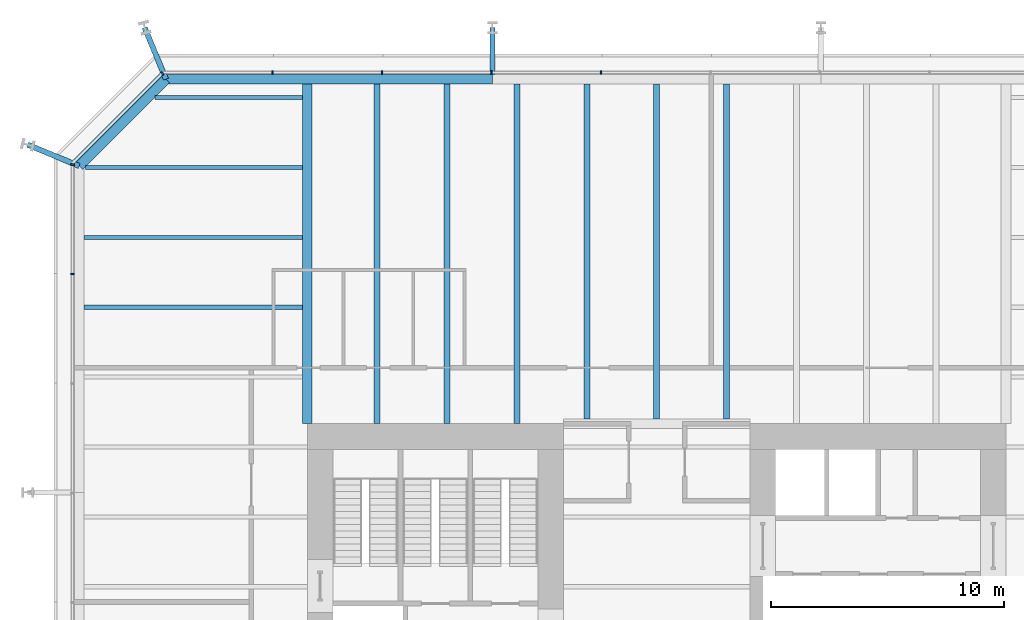
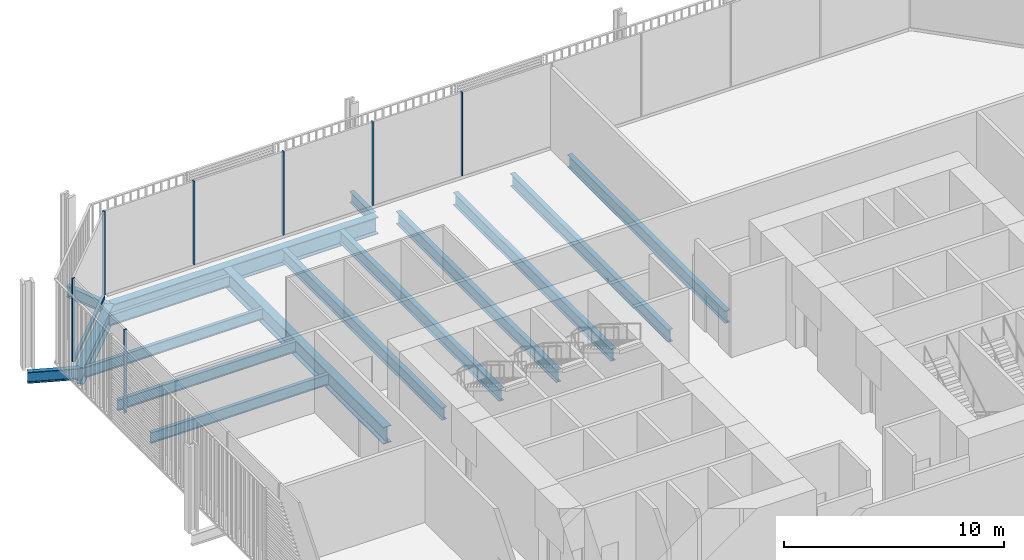
# One storey, part 9 of 21: 16 beams, 8 members, 3 elements without a shape of their own.
"""IFC4 building model written with IfcOpenShell, lengths in metres."""

import ifcopenshell
import ifcopenshell.guid

model = None  # the IFC model being written
_history = None  # IfcOwnerHistory: only IFC2X3 demands one
_inside = {}  # id of a spatial element -> (the spatial element, [elements in it])
_under = {}  # id of a project, library or spatial element -> (it, [spatial elements below it])
_declared = {}  # id of a project -> (the project, [libraries it declares])
_typed = {}  # id of a type object -> (the type object, [elements of that type])
_made_of = {}  # id of a material, layer set ... -> (it, [elements and type objects made of it])


def new_model(schema):
    """Start an empty IFC model of exactly this schema.

    Asked for "IFC4X3", IfcOpenShell would pick the latest addendum, in which some entities
    have other attributes; the version numbers below select the first issue.
    IFC2X3 requires an IfcOwnerHistory on every rooted entity: one is made here for all.
    """
    global model, _history
    if schema == "IFC4X3":
        model = ifcopenshell.file(schema_version=(4, 3, 0, 0))
    else:
        model = ifcopenshell.file(schema=schema)
    _inside.clear()
    _under.clear()
    _declared.clear()
    _typed.clear()
    _made_of.clear()
    _history = None
    if model.schema == "IFC2X3":
        org = make("IfcOrganization", Name="unknown")
        user = make(
            "IfcPersonAndOrganization",
            ThePerson=make("IfcPerson", FamilyName="unknown"),
            TheOrganization=org,
        )
        app = make(
            "IfcApplication",
            ApplicationDeveloper=org,
            Version="unknown",
            ApplicationFullName="unknown",
            ApplicationIdentifier="unknown",
        )
        _history = make(
            "IfcOwnerHistory",
            OwningUser=user,
            OwningApplication=app,
            ChangeAction="ADDED",
            CreationDate=0,
        )
    return model


def make(cls, **values):
    """One entity of the class cls with the attributes given. An attribute that is None is left unset."""
    return model.create_entity(
        cls, **{name: value for name, value in values.items() if value is not None}
    )


def rooted(cls, **values):
    """An entity with a GlobalId (a new one), such as an element, a storey or a relation."""
    return make(cls, GlobalId=ifcopenshell.guid.new(), OwnerHistory=_history, **values)


def si_unit(unit_type, name, prefix=None):
    """IfcSIUnit, for example si_unit("LENGTHUNIT", "METRE", prefix="MILLI")."""
    return make("IfcSIUnit", UnitType=unit_type, Prefix=prefix, Name=name)


def assignment(units):
    """IfcUnitAssignment: the units of a project."""
    return None if units is None else make("IfcUnitAssignment", Units=units)


def point(xyz):
    """IfcCartesianPoint."""
    return None if xyz is None else make("IfcCartesianPoint", Coordinates=xyz)


def direction(xyz):
    """IfcDirection."""
    return None if xyz is None else make("IfcDirection", DirectionRatios=xyz)


def frame(location, z_axis=None, x_axis=None):
    """IfcAxis2Placement3D, a coordinate frame: its origin and axes. An axis left out is left unset."""
    return make(
        "IfcAxis2Placement3D",
        Location=point(location),
        Axis=direction(z_axis),
        RefDirection=direction(x_axis),
    )


def frame_2d(location, x_axis=None):
    """IfcAxis2Placement2D, a coordinate frame in the plane: its origin and x axis."""
    return make(
        "IfcAxis2Placement2D", Location=point(location), RefDirection=direction(x_axis)
    )


def origin():
    """The frame at (0, 0, 0) with its axes left unset."""
    return frame((0.0, 0.0, 0.0))


def origin_2d():
    """The frame at (0, 0) in the plane with its x axis left unset."""
    return frame_2d((0.0, 0.0))


def place(relative_to, where):
    """IfcLocalPlacement: puts the frame where relative to a parent placement (None: the world)."""
    return make(
        "IfcLocalPlacement", PlacementRelTo=relative_to, RelativePlacement=where
    )


def context(
    kind, dimensions, precision=None, world=None, true_north=None, identifier=None
):
    """IfcGeometricRepresentationContext, for example the 3D "Model" context."""
    return make(
        "IfcGeometricRepresentationContext",
        ContextIdentifier=identifier,
        ContextType=kind,
        CoordinateSpaceDimension=dimensions,
        Precision=precision,
        WorldCoordinateSystem=world,
        TrueNorth=true_north,
    )


def subcontext(parent, identifier, kind, view, scale=None):
    """IfcGeometricRepresentationSubContext, for example "Body" below "Model"."""
    return make(
        "IfcGeometricRepresentationSubContext",
        ContextIdentifier=identifier,
        ContextType=kind,
        ParentContext=parent,
        TargetScale=scale,
        TargetView=view,
    )


def project(units=None, contexts=None):
    """IfcProject with its units and contexts."""
    return rooted(
        "IfcProject",
        Name="project",
        RepresentationContexts=contexts,
        UnitsInContext=assignment(units),
    )


def spatial(cls, under=None, at=None, **own):
    """A site, building, storey or space (cls), placed at a placement, below another one or the project."""
    s = rooted(cls, ObjectPlacement=at, **own)
    if under is not None:
        _under.setdefault(under.id(), (under, []))[1].append(s)
    return s


def profile(cls, at=None, kind="AREA", **sizes):
    """A parametric profile (cls). Its sizes go by their IFC names, for example OverallWidth=200.0."""
    return make(cls, ProfileType=kind, Position=at, **sizes)


def rectangle(**sizes):
    """IfcRectangleProfileDef."""
    return profile("IfcRectangleProfileDef", **sizes)


def i_section(**sizes):
    """IfcIShapeProfileDef."""
    return profile("IfcIShapeProfileDef", **sizes)


def extrude(swept, where, along, depth):
    """IfcExtrudedAreaSolid: the profile swept, set in the frame where, extruded along a direction by depth."""
    return make(
        "IfcExtrudedAreaSolid",
        SweptArea=swept,
        Position=where,
        ExtrudedDirection=direction(along),
        Depth=depth,
    )


def shape(context_of_items, identifier, shape_type, items):
    """IfcShapeRepresentation: the items that make up one representation, for example the "Body"."""
    return make(
        "IfcShapeRepresentation",
        ContextOfItems=context_of_items,
        RepresentationIdentifier=identifier,
        RepresentationType=shape_type,
        Items=items,
    )


def material(Name=None, Category=None):
    """IfcMaterial."""
    return make("IfcMaterial", Name=Name, Category=Category)


def layer(
    of_material, thickness, ventilated=None, Name=None, Category=None, Priority=None
):
    """IfcMaterialLayer: one layer of a wall or slab, of a material (None: an air gap)."""
    return make(
        "IfcMaterialLayer",
        Material=of_material,
        LayerThickness=thickness,
        IsVentilated=ventilated,
        Name=Name,
        Category=Category,
        Priority=Priority,
    )


def layer_set(layers, Name=None):
    """IfcMaterialLayerSet."""
    return make("IfcMaterialLayerSet", MaterialLayers=layers, LayerSetName=Name)


def material_profile(
    of_material, cross_section, Name=None, Category=None, Priority=None
):
    """IfcMaterialProfile: a cross section and its material."""
    return make(
        "IfcMaterialProfile",
        Name=Name,
        Material=of_material,
        Profile=cross_section,
        Priority=Priority,
        Category=Category,
    )


def profile_set(profiles, Name=None, composite=None):
    """IfcMaterialProfileSet."""
    return make(
        "IfcMaterialProfileSet",
        Name=Name,
        MaterialProfiles=profiles,
        CompositeProfile=composite,
    )


def made_of(thing, what):
    """Note that an element or type object is made of a material, layer set ...; save() writes the relation."""
    if what is not None:
        _made_of.setdefault(what.id(), (what, []))[1].append(thing)
    return thing


def type_object(cls, material=None, **own):
    """A type object (cls), such as IfcWallType, which elements share."""
    return made_of(rooted(cls, **own), material)


def element(
    cls,
    number,
    at=None,
    inside=None,
    cuts=None,
    type_object=None,
    material=None,
    context=None,
    identifier="Body",
    shape_type=None,
    held_by="IfcProductDefinitionShape",
    body=None,
    shapes=None,
    **own,
):
    """One element of the class cls, such as IfcWall. Its Tag is "e" and its number.

    at: its placement. inside: the storey or other place that contains it. cuts: it is an
    opening in that element (IfcRelVoidsElement). A single representation is given by context,
    identifier, shape_type and body (its items); several are given by shapes. held_by: the class
    of the entity that holds the representations. save() writes the other relations.
    """
    e = rooted(cls, Tag="e%d" % number, ObjectPlacement=at, **own)
    if body is not None:
        shapes = [shape(context, identifier, shape_type, body)]
    if shapes is not None:
        e.Representation = make(held_by, Representations=shapes)
    if inside is not None:
        _inside.setdefault(inside.id(), (inside, []))[1].append(e)
    if cuts is not None:
        rooted(
            "IfcRelVoidsElement", RelatingBuildingElement=cuts, RelatedOpeningElement=e
        )
    if type_object is not None:
        _typed.setdefault(type_object.id(), (type_object, []))[1].append(e)
    return made_of(e, material)


def aggregate(whole, parts):
    """IfcRelAggregates: a whole, such as a stair, and the parts it consists of."""
    return rooted("IfcRelAggregates", RelatingObject=whole, RelatedObjects=parts)


def save(model, path):
    """Write the relations noted so far, then the file.

    IfcRelAggregates (storeys below a building ...), IfcRelContainedInSpatialStructure (elements
    in a storey), IfcRelDefinesByType, IfcRelAssociatesMaterial and IfcRelDeclares: one each for
    every whole, place, type object, material and project.
    """
    for whole, parts in _under.values():
        aggregate(whole, parts)
    for where, things in _inside.values():
        rooted(
            "IfcRelContainedInSpatialStructure",
            RelatedElements=things,
            RelatingStructure=where,
        )
    for kind, things in _typed.values():
        rooted("IfcRelDefinesByType", RelatedObjects=things, RelatingType=kind)
    for what, things in _made_of.values():
        rooted("IfcRelAssociatesMaterial", RelatedObjects=things, RelatingMaterial=what)
    for by, libraries in _declared.values():
        rooted("IfcRelDeclares", RelatingContext=by, RelatedDefinitions=libraries)
    model.write(path)


model = new_model("IFC4")

# Units and contexts
model_context = context("Model", 3, precision=1e-05, world=origin(), true_north=direction((0.0, 1.0)))
body_context = subcontext(model_context, "Body", "Model", "MODEL_VIEW")
ifc_project = project(units=[si_unit("LENGTHUNIT", "METRE"), si_unit("AREAUNIT", "SQUARE_METRE"), si_unit("VOLUMEUNIT", "CUBIC_METRE"), si_unit("PLANEANGLEUNIT", "RADIAN"), si_unit("MASSUNIT", "GRAM", prefix="KILO")], contexts=[model_context])

# Site, building, storey
site_placement = place(None, origin())
site = spatial("IfcSite", under=ifc_project, at=site_placement, CompositionType="ELEMENT")
building_placement = place(site_placement, origin())
building = spatial("IfcBuilding", under=site, at=building_placement, Name="Millrace Tower", CompositionType="ELEMENT")
storey_placement = place(building_placement, frame((0.0, 0.0, 16.10009765625)))
storey = spatial("IfcBuildingStorey", under=building, at=storey_placement, Name="L04", CompositionType="ELEMENT", Elevation=16.10009765625)

# Curtain wall, members
ifc_material_1 = material(Name="Aluminium and glass", Category="aluminium")
ifc_layer = layer(ifc_material_1, 0.14990234375)
ifc_layer_set = layer_set([ifc_layer], Name="Aluminium and glass")
curtain_wall_type = type_object("IfcCurtainWallType", Name="CW-2 data hall insulated curtain wall", PredefinedType="NOTDEFINED", material=ifc_layer_set)
placement = place(storey_placement, origin())
curtain_wall_1 = element("IfcCurtainWall", 1, at=placement, inside=storey, type_object=curtain_wall_type, Name="Curtain wall A-F06 L04", PredefinedType="NOTDEFINED")
ifc_material_2 = material(Name="Aluminium", Category="aluminium")
ifc_material_profile_1 = material_profile(ifc_material_2, rectangle(XDim=0.06494140625, YDim=0.14990234375, at=origin_2d()))
ifc_profile_set_1 = profile_set([ifc_material_profile_1], Name="Aluminium")
member_type_1 = type_object("IfcMemberType", Name="CW-2 data hall insulated curtain wall mullion", PredefinedType="MULLION", material=ifc_profile_set_1)
member_1_placement = place(storey_placement, frame((-2.382568359375, 25.074951171875, 0.159912109375), z_axis=(0.0, 0.0, 1.0), x_axis=(-1.0, 0.0, 0.0)))
member_1 = element("IfcMember", 2, at=member_1_placement, type_object=member_type_1, Name="CW2 mullion A-F06.6", PredefinedType="MULLION", context=body_context, shape_type="SweptSolid", body=[
    extrude(rectangle(XDim=0.06494140625, YDim=0.14990234375, at=origin_2d()), origin(), (0.0, 0.0, 1.0), 4.639892578125),
])
member_2_placement = place(storey_placement, frame((-7.08251953125, 25.074951171875, 0.159912109375), z_axis=(0.0, 0.0, 1.0), x_axis=(-1.0, 0.0, 0.0)))
member_2 = element("IfcMember", 3, at=member_2_placement, type_object=member_type_1, Name="CW2 mullion A-F06.7", PredefinedType="MULLION", context=body_context, shape_type="SweptSolid", body=[
    extrude(rectangle(XDim=0.06494140625, YDim=0.14990234375, at=origin_2d()), origin(), (0.0, 0.0, 1.0), 4.639892578125),
])
member_3_placement = place(storey_placement, frame((-11.782470703125, 25.074951171875, 0.159912109375), z_axis=(0.0, 0.0, 1.0), x_axis=(-1.0, 0.0, 0.0)))
member_3 = element("IfcMember", 4, at=member_3_placement, type_object=member_type_1, Name="CW2 mullion A-F06.8", PredefinedType="MULLION", context=body_context, shape_type="SweptSolid", body=[
    extrude(rectangle(XDim=0.06494140625, YDim=0.14990234375, at=origin_2d()), origin(), (0.0, 0.0, 1.0), 4.639892578125),
])
member_4_placement = place(storey_placement, frame((-16.482421875, 25.074951171875, 0.159912109375), z_axis=(0.0, 0.0, 1.0), x_axis=(-1.0, 0.0, 0.0)))
member_4 = element("IfcMember", 5, at=member_4_placement, type_object=member_type_1, Name="CW2 mullion A-F06.9", PredefinedType="MULLION", context=body_context, shape_type="SweptSolid", body=[
    extrude(rectangle(XDim=0.06494140625, YDim=0.14990234375, at=origin_2d()), origin(), (0.0, 0.0, 1.0), 4.639892578125),
])
aggregate(curtain_wall_1, [member_1, member_2, member_3, member_4])

# Curtain wall, member
curtain_wall_2 = element("IfcCurtainWall", 6, at=placement, inside=storey, type_object=curtain_wall_type, Name="Curtain wall A-F07 L04", PredefinedType="NOTDEFINED")
member_5_placement = place(storey_placement, frame((-21.22607421875, 25.030029296875, 0.159912109375), z_axis=(0.0, 0.0, 1.0), x_axis=(-0.707106781187, -0.707106781187, 0.0)))
member_5 = element("IfcMember", 7, at=member_5_placement, type_object=member_type_1, Name="CW2 mullion A-F07.1", PredefinedType="MULLION", context=body_context, shape_type="SweptSolid", body=[
    extrude(rectangle(XDim=0.06494140625, YDim=0.14990234375, at=origin_2d()), origin(), (0.0, 0.0, 1.0), 4.639892578125),
])

# Curtain wall, members
curtain_wall_3 = element("IfcCurtainWall", 8, at=placement, inside=storey, type_object=curtain_wall_type, Name="Curtain wall A-F08 L04", PredefinedType="NOTDEFINED")
member_6_placement = place(storey_placement, frame((-25.074951171875, 21.117431640625, 0.159912109375), z_axis=(0.0, 0.0, 1.0), x_axis=(0.0, -1.0, 0.0)))
member_6 = element("IfcMember", 9, at=member_6_placement, type_object=member_type_1, Name="CW2 mullion A-F08.1", PredefinedType="MULLION", context=body_context, shape_type="SweptSolid", body=[
    extrude(rectangle(XDim=0.06494140625, YDim=0.14990234375, at=origin_2d()), origin(), (0.0, 0.0, 1.0), 4.639892578125),
])
member_7_placement = place(storey_placement, frame((-25.074951171875, 16.41748046875, 0.159912109375), z_axis=(0.0, 0.0, 1.0), x_axis=(0.0, -1.0, 0.0)))
member_7 = element("IfcMember", 10, at=member_7_placement, type_object=member_type_1, Name="CW2 mullion A-F08.2", PredefinedType="MULLION", context=body_context, shape_type="SweptSolid", body=[
    extrude(rectangle(XDim=0.06494140625, YDim=0.14990234375, at=origin_2d()), origin(), (0.0, 0.0, 1.0), 4.639892578125),
])
aggregate(curtain_wall_3, [member_6, member_7])

# Member
ifc_material_3 = material(Name="Aluminium", Category="aluminium")
ifc_material_profile_2 = material_profile(ifc_material_3, rectangle(XDim=0.14990234375, YDim=0.159912109375, at=origin_2d()))
ifc_profile_set_2 = profile_set([ifc_material_profile_2], Name="Aluminium")
member_type_2 = type_object("IfcMemberType", Name="CW-2 data hall insulated curtain wall transom", PredefinedType="USERDEFINED", material=ifc_profile_set_2)
member_8_placement = place(storey_placement, frame((-21.273681640625, 24.982421875, 0.079833984375), z_axis=(-0.707106781187, -0.707106781187, 0.0), x_axis=(0.707106781187, -0.707106781187, 0.0)))
member_8 = element("IfcMember", 11, at=member_8_placement, type_object=member_type_2, Name="CW2 transom A-F07.1", ObjectType="TRANSOM", PredefinedType="USERDEFINED", context=body_context, shape_type="SweptSolid", body=[
    extrude(rectangle(XDim=0.14990234375, YDim=0.159912109375, at=origin_2d()), origin(), (0.0, 0.0, 1.0), 5.244873046875),
])

aggregate(curtain_wall_2, [member_5, member_8])

# Beams
ifc_material_4 = material(Name="Steel ASTM A992 Grade 50", Category="steel")
ifc_material_profile_3 = material_profile(ifc_material_4, i_section(OverallWidth=0.177978515625, OverallDepth=0.599365234375, WebThickness=0.010009765625, FlangeThickness=0.012939453125, FilletRadius=0.012939453125, at=origin_2d()))
ifc_profile_set_3 = profile_set([ifc_material_profile_3], Name="Steel ASTM A992 Grade 50")
beam_type_1 = type_object("IfcBeamType", Name="Floor beam W24x55", PredefinedType="JOIST", material=ifc_profile_set_3)
beam_1_placement = place(storey_placement, frame((-21.52978515625, 24.0, -0.52490234375), z_axis=(1.0, 0.0, 0.0), x_axis=(0.0, 1.0, 0.0)))
element("IfcBeam", 12, at=beam_1_placement, inside=storey, type_object=beam_type_1, Name="BM-A-L04-S1-S040", PredefinedType="JOIST", context=body_context, shape_type="SweptSolid", body=[
    extrude(i_section(OverallWidth=0.177978515625, OverallDepth=0.599365234375, WebThickness=0.010009765625, FlangeThickness=0.012939453125, FilletRadius=0.012939453125, at=origin_2d()), origin(), (0.0, 0.0, 1.0), 6.317626953125),
])
ifc_material_5 = material(Name="Steel ASTM A992 Grade 50", Category="steel")
ifc_material_profile_4 = material_profile(ifc_material_5, i_section(OverallWidth=0.1787109375, OverallDepth=0.60205078125, WebThickness=0.010986328125, FlangeThickness=0.014892578125, FilletRadius=0.0126953125, at=origin_2d()))
ifc_profile_set_4 = profile_set([ifc_material_profile_4], Name="Steel ASTM A992 Grade 50")
beam_type_2 = type_object("IfcBeamType", Name="Floor beam W24x62", PredefinedType="JOIST", material=ifc_profile_set_4)
for number, where, z_axis, x_axis, name in (
    (13, (-24.578369140625, 15.0, -0.526123046875), (1.0, 0.0, 0.0), (0.0, 1.0, 0.0), "BM-A-L04-S1-S034"),
    (14, (-24.578369140625, 18.0, -0.526123046875), (1.0, 0.0, 0.0), (0.0, 1.0, 0.0), "BM-A-L04-S1-S036"),
):
    element("IfcBeam", number, at=place(storey_placement, frame(where, z_axis=z_axis, x_axis=x_axis)), inside=storey, type_object=beam_type_2, Name=name, PredefinedType="JOIST", context=body_context, shape_type="SweptSolid", body=[
        extrude(i_section(OverallWidth=0.1787109375, OverallDepth=0.60205078125, WebThickness=0.010986328125, FlangeThickness=0.014892578125, FilletRadius=0.0126953125, at=origin_2d()), origin(), (0.0, 0.0, 1.0), 9.3662109375),
    ])
beam_2_placement = place(storey_placement, frame((-24.52978515625, 21.0, -0.526123046875), z_axis=(1.0, 0.0, 0.0), x_axis=(0.0, 1.0, 0.0)))
element("IfcBeam", 15, at=beam_2_placement, inside=storey, type_object=beam_type_2, Name="BM-A-L04-S1-S038", PredefinedType="JOIST", context=body_context, shape_type="SweptSolid", body=[
    extrude(i_section(OverallWidth=0.1787109375, OverallDepth=0.60205078125, WebThickness=0.010986328125, FlangeThickness=0.014892578125, FilletRadius=0.0126953125, at=origin_2d()), origin(), (0.0, 0.0, 1.0), 9.317626953125),
])
ifc_material_6 = material(Name="Steel ASTM A992 Grade 50", Category="steel")
ifc_material_profile_5 = material_profile(ifc_material_6, i_section(OverallWidth=0.256591796875, OverallDepth=0.693359375, WebThickness=0.014404296875, FlangeThickness=0.023681640625, FilletRadius=0.01513671875, at=origin_2d()))
ifc_profile_set_5 = profile_set([ifc_material_profile_5], Name="Steel ASTM A992 Grade 50")
beam_type_3 = type_object("IfcBeamType", Name="Floor beam W27x114", PredefinedType="JOIST", material=ifc_profile_set_5)
for number, where, z_axis, x_axis, name in (
    (16, (-12.0, 10.0, -0.57177734375), (0.0, 1.0, 0.0), (-1.0, 0.0, 0.0), "BM-A-L04-S1-S042"),
    (17, (-9.0, 10.0, -0.57177734375), (0.0, 1.0, 0.0), (-1.0, 0.0, 0.0), "BM-A-L04-S1-S044"),
    (18, (-6.0, 10.0, -0.57177734375), (0.0, 1.0, 0.0), (-1.0, 0.0, 0.0), "BM-A-L04-S1-S046"),
):
    element("IfcBeam", number, at=place(storey_placement, frame(where, z_axis=z_axis, x_axis=x_axis)), inside=storey, type_object=beam_type_3, Name=name, PredefinedType="JOIST", context=body_context, shape_type="SweptSolid", body=[
        extrude(i_section(OverallWidth=0.256591796875, OverallDepth=0.693359375, WebThickness=0.014404296875, FlangeThickness=0.023681640625, FilletRadius=0.01513671875, at=origin_2d()), origin(), (0.0, 0.0, 1.0), 14.578369140625),
    ])
for number, where, z_axis, x_axis, name in (
    (19, (-3.0, 10.212158203125, -0.57177734375), (0.0, 1.0, 0.0), (-1.0, 0.0, 0.0), "BM-A-L04-S1-S048"),
    (20, (0.0, 10.212158203125, -0.57177734375), (0.0, 1.0, 0.0), (-1.0, 0.0, 0.0), "BM-A-L04-S1-S050"),
    (21, (3.0, 10.212158203125, -0.57177734375), (0.0, 1.0, 0.0), (-1.0, 0.0, 0.0), "BM-A-L04-S1-S052"),
):
    element("IfcBeam", number, at=place(storey_placement, frame(where, z_axis=z_axis, x_axis=x_axis)), inside=storey, type_object=beam_type_3, Name=name, PredefinedType="JOIST", context=body_context, shape_type="SweptSolid", body=[
        extrude(i_section(OverallWidth=0.256591796875, OverallDepth=0.693359375, WebThickness=0.014404296875, FlangeThickness=0.023681640625, FilletRadius=0.01513671875, at=origin_2d()), origin(), (0.0, 0.0, 1.0), 14.3662109375),
    ])
ifc_material_7 = material(Name="Steel ASTM A992 Grade 50", Category="steel")
ifc_material_profile_6 = material_profile(ifc_material_7, i_section(OverallWidth=0.424072265625, OverallDepth=0.947509765625, WebThickness=0.02392578125, FlangeThickness=0.042724609375, FilletRadius=0.024169921875, at=origin_2d()))
ifc_profile_set_6 = profile_set([ifc_material_profile_6], Name="Steel ASTM A992 Grade 50")
beam_type_4 = type_object("IfcBeamType", Name="Girder medium span W36x302", PredefinedType="BEAM", material=ifc_profile_set_6)
beam_3_placement = place(storey_placement, frame((-15.0, 10.0, -0.69873046875), z_axis=(0.0, 1.0, 0.0), x_axis=(-1.0, 0.0, 0.0)))
element("IfcBeam", 22, at=beam_3_placement, inside=storey, type_object=beam_type_4, Name="BM-A-L04-S1-G060", PredefinedType="BEAM", context=body_context, shape_type="SweptSolid", body=[
    extrude(i_section(OverallWidth=0.424072265625, OverallDepth=0.947509765625, WebThickness=0.02392578125, FlangeThickness=0.042724609375, FilletRadius=0.024169921875, at=origin_2d()), origin(), (0.0, 0.0, 1.0), 14.578369140625),
])
ifc_material_8 = material(Name="Steel ASTM A992 Grade 50", Category="steel")
ifc_material_profile_7 = material_profile(ifc_material_8, i_section(OverallWidth=0.23046875, OverallDepth=0.6171875, WebThickness=0.01318359375, FlangeThickness=0.022216796875, FilletRadius=0.012939453125, at=origin_2d()))
ifc_profile_set_7 = profile_set([ifc_material_profile_7], Name="Steel ASTM A992 Grade 50")
beam_type_5 = type_object("IfcBeamType", Name="Link beam W24x94", PredefinedType="BEAM", material=ifc_profile_set_7)
for number, where, z_axis, x_axis, name in (
    (23, (-24.7890625, 21.062744140625, -0.53369140625), (-0.923883789366, 0.382673155247, 0.0), (-0.382673155247, -0.923883789366, 0.0), "LNK-A-L04-S1-04"),
    (24, (-21.062744140625, 24.7890625, -0.53369140625), (-0.382673155247, 0.923883789366, 0.0), (-0.923883789366, -0.382673155247, 0.0), "LNK-A-L04-S1-05"),
):
    element("IfcBeam", number, at=place(storey_placement, frame(where, z_axis=z_axis, x_axis=x_axis)), inside=storey, type_object=beam_type_5, Name=name, PredefinedType="BEAM", context=body_context, shape_type="SweptSolid", body=[
        extrude(i_section(OverallWidth=0.23046875, OverallDepth=0.6171875, WebThickness=0.01318359375, FlangeThickness=0.022216796875, FilletRadius=0.012939453125, at=origin_2d()), origin(), (0.0, 0.0, 1.0), 2.39306640625),
    ])
beam_4_placement = place(storey_placement, frame((-7.050048828125, 25.0, -0.53369140625), z_axis=(0.0, 1.0, 0.0), x_axis=(-1.0, 0.0, 0.0)))
element("IfcBeam", 25, at=beam_4_placement, inside=storey, type_object=beam_type_5, Name="LNK-A-L04-S1-06", PredefinedType="BEAM", context=body_context, shape_type="SweptSolid", body=[
    extrude(i_section(OverallWidth=0.23046875, OverallDepth=0.6171875, WebThickness=0.01318359375, FlangeThickness=0.022216796875, FilletRadius=0.012939453125, at=origin_2d()), origin(), (0.0, 0.0, 1.0), 2.0),
])
ifc_material_9 = material(Name="Steel ASTM A992 Grade 50", Category="steel")
ifc_material_profile_8 = material_profile(ifc_material_9, i_section(OverallWidth=0.421630859375, OverallDepth=0.937255859375, WebThickness=0.021240234375, FlangeThickness=0.03662109375, FilletRadius=0.024169921875, at=origin_2d()))
ifc_profile_set_8 = profile_set([ifc_material_profile_8], Name="Steel ASTM A992 Grade 50")
beam_type_6 = type_object("IfcBeamType", Name="Ring beam medium span W36x262", PredefinedType="SPANDREL", material=ifc_profile_set_8)
beam_5_placement = place(storey_placement, frame((-21.062744140625, 24.7890625, -0.69384765625), z_axis=(1.0, 0.0, 0.0), x_axis=(0.0, 1.0, 0.0)))
element("IfcBeam", 26, at=beam_5_placement, inside=storey, type_object=beam_type_6, Name="RNG-A-L04-S1-05", PredefinedType="SPANDREL", context=body_context, shape_type="SweptSolid", body=[
    extrude(i_section(OverallWidth=0.421630859375, OverallDepth=0.937255859375, WebThickness=0.021240234375, FlangeThickness=0.03662109375, FilletRadius=0.024169921875, at=origin_2d()), origin(), (0.0, 0.0, 1.0), 14.0126953125),
])
ifc_material_10 = material(Name="Steel ASTM A992 Grade 50", Category="steel")
ifc_material_profile_9 = material_profile(ifc_material_10, i_section(OverallWidth=0.421630859375, OverallDepth=0.937255859375, WebThickness=0.021240234375, FlangeThickness=0.03662109375, FilletRadius=0.024169921875, at=origin_2d()))
ifc_profile_set_9 = profile_set([ifc_material_profile_9], Name="Steel ASTM A992 Grade 50")
beam_type_7 = type_object("IfcBeamType", Name="Ring beam short span W36x262", PredefinedType="SPANDREL", material=ifc_profile_set_9)
beam_6_placement = place(storey_placement, frame((-24.7890625, 21.062744140625, -0.69384765625), z_axis=(0.707106781187, 0.707106781187, 0.0), x_axis=(-0.707106781187, 0.707106781187, 0.0)))
element("IfcBeam", 27, at=beam_6_placement, inside=storey, type_object=beam_type_7, Name="RNG-A-L04-S1-04", PredefinedType="SPANDREL", context=body_context, shape_type="SweptSolid", body=[
    extrude(i_section(OverallWidth=0.421630859375, OverallDepth=0.937255859375, WebThickness=0.021240234375, FlangeThickness=0.03662109375, FilletRadius=0.024169921875, at=origin_2d()), origin(), (0.0, 0.0, 1.0), 5.269775390625),
])

save(model, "model.ifc")
